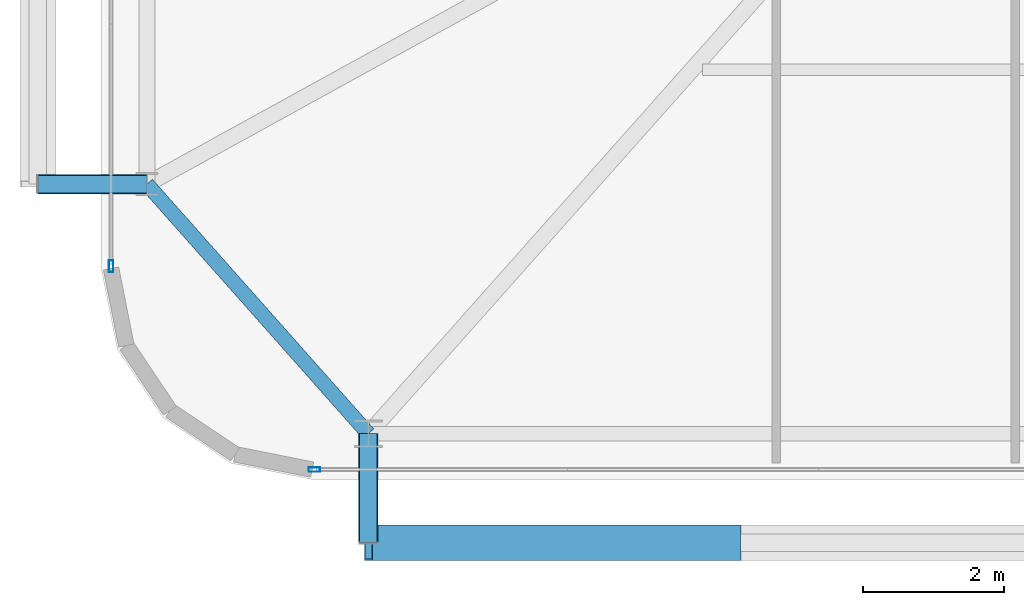
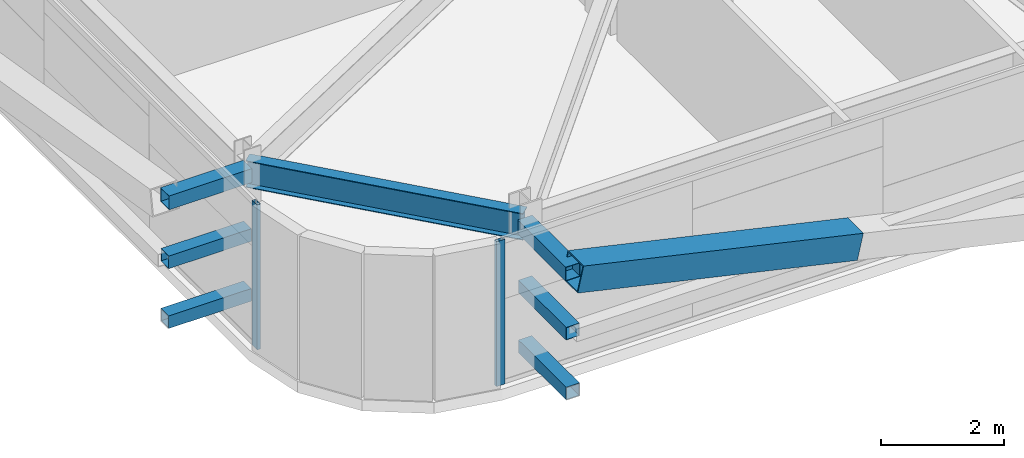
# One storey, part 5 of 45: 9 members, 1 beam, 2 elements without a shape of their own.
"""IFC4 building model written with IfcOpenShell, lengths in metres."""

from ifc_helpers import new_model, si_unit, direction, frame, origin, origin_2d, place, context, subcontext, project, spatial, hollow_rectangle, i_section, extrude, source, transform, mapped, material, layer, layer_set, material_profile, profile_set, type_object, element, aggregate, save


model = new_model("IFC4")

# Units and contexts
model_context = context("Model", 3, precision=1e-05, world=origin(), true_north=direction((0.0, 1.0)))
body_context = subcontext(model_context, "Body", "Model", "MODEL_VIEW")
ifc_project = project(units=[si_unit("LENGTHUNIT", "METRE"), si_unit("AREAUNIT", "SQUARE_METRE"), si_unit("VOLUMEUNIT", "CUBIC_METRE"), si_unit("PLANEANGLEUNIT", "RADIAN"), si_unit("MASSUNIT", "GRAM", prefix="KILO")], contexts=[model_context])

# Site, building, storey
site_placement = place(None, origin())
site = spatial("IfcSite", under=ifc_project, at=site_placement, CompositionType="ELEMENT")
building_placement = place(site_placement, origin())
building = spatial("IfcBuilding", under=site, at=building_placement, Name="Taldren Reach Tower", CompositionType="ELEMENT")
storey_placement = place(building_placement, frame((0.0, 0.0, 57.75)))
storey = spatial("IfcBuildingStorey", under=building, at=storey_placement, Name="L17", CompositionType="ELEMENT", Elevation=57.75)

# Beam
ifc_material_1 = material(Name="Steel Gr 350 (350PLUS)", Category="steel")
ifc_material_profile_1 = material_profile(ifc_material_1, i_section(OverallWidth=0.208984375, OverallDepth=0.528076171875, WebThickness=0.009521484375, FlangeThickness=0.01318359375, at=origin_2d()), Name="530UB82.0")
ifc_profile_set_1 = profile_set([ifc_material_profile_1], Name="Steel Gr 350 (350PLUS)")
beam_type = type_object("IfcBeamType", Name="SP-UB530B", PredefinedType="SPANDREL", material=ifc_profile_set_1)
shared_shape_1 = source(origin(), body_context, "Body", "SweptSolid", [
    extrude(i_section(OverallWidth=0.208984375, OverallDepth=0.528076171875, WebThickness=0.009521484375, FlangeThickness=0.01318359375, at=origin_2d()), origin(), (0.0, 0.0, 1.0), 4.74609375),
])
beam_placement = place(storey_placement, frame((5.64990234375, 5.699951171875, 2.60595703125), z_axis=(0.663721843779, -0.747979487747, 0.0), x_axis=(0.747979487747, 0.663721843779, 0.0)))
element("IfcBeam", 1, at=beam_placement, inside=storey, type_object=beam_type, Name="Perimeter spandrel B1 W1-S1 L17", PredefinedType="SPANDREL", context=body_context, shape_type="MappedRepresentation", body=[
    mapped(shared_shape_1, transform((0.0, 0.0, 0.0), scale=1.0)),
])

# Members
ifc_material_2 = material(Name="Steel Gr 450 (C450L0)", Category="steel")
ifc_material_profile_2 = material_profile(ifc_material_2, hollow_rectangle(XDim=0.27490234375, YDim=0.27490234375, WallThickness=0.00927734375, at=origin_2d()), Name="275x275x9.3SHS")
ifc_profile_set_2 = profile_set([ifc_material_profile_2], Name="Steel Gr 450 (C450L0)")
member_type_1 = type_object("IfcMemberType", Name="MB-TIE273", PredefinedType="STRUT", material=ifc_profile_set_2)
shared_shape_2 = source(origin(), body_context, "Body", "SweptSolid", [
    extrude(hollow_rectangle(XDim=0.27490234375, YDim=0.27490234375, WallThickness=0.00927734375, at=origin_2d()), origin(), (0.0, 0.0, 1.0), 1.5498046875),
])
for number, where, z_axis, x_axis, name in (
    (2, (8.800048828125, 2.14990234375, 2.590087890625), (0.0, -1.0, 0.0), (1.0, 0.0, 0.0), "Exoskeleton diaphragm tie strut B1-S1 L17"),
    (3, (5.64990234375, 5.699951171875, 2.590087890625), (-1.0, 0.0, 0.0), (0.0, -1.0, 0.0), "Exoskeleton diaphragm tie strut B1-W1 L17"),
):
    element("IfcMember", number, at=place(storey_placement, frame(where, z_axis=z_axis, x_axis=x_axis)), inside=storey, type_object=member_type_1, Name=name, PredefinedType="STRUT", context=body_context, shape_type="MappedRepresentation", body=[
        mapped(shared_shape_2, transform((0.0, 0.0, 0.0), scale=1.0)),
    ])
ifc_material_3 = material(Name="Steel Gr 350 (C350L0)", Category="steel")
ifc_material_profile_3 = material_profile(ifc_material_3, hollow_rectangle(XDim=0.25, YDim=0.25, WallThickness=0.010009765625, at=origin_2d()), Name="250x250x10.0SHS")
ifc_profile_set_3 = profile_set([ifc_material_profile_3], Name="Steel Gr 350 (C350L0)")
member_type_2 = type_object("IfcMemberType", Name="MB-POST250", PredefinedType="POST", material=ifc_profile_set_3)
shared_shape_3 = source(origin(), body_context, "Body", "SweptSolid", [
    extrude(hollow_rectangle(XDim=0.25, YDim=0.25, WallThickness=0.010009765625, at=origin_2d()), origin(), (0.0, 0.0, 1.0), 1.5498046875),
])
for number, where, z_axis, x_axis, name in (
    (4, (8.800048828125, 2.14990234375, 0.219970703125), (0.0, -1.0, 0.0), (1.0, 0.0, 0.0), "Exoskeleton base diaphragm tie strut B1-S1 L17"),
    (5, (5.64990234375, 5.699951171875, 0.219970703125), (-1.0, 0.0, 0.0), (0.0, -1.0, 0.0), "Exoskeleton base diaphragm tie strut B1-W1 L17"),
    (6, (8.800048828125, 2.14990234375, 1.405029296875), (0.0, -1.0, 0.0), (1.0, 0.0, 0.0), "Exoskeleton mid-tier diaphragm tie B1-S1 L17"),
    (7, (5.64990234375, 5.699951171875, 1.405029296875), (-1.0, 0.0, 0.0), (0.0, -1.0, 0.0), "Exoskeleton mid-tier diaphragm tie B1-W1 L17"),
):
    element("IfcMember", number, at=place(storey_placement, frame(where, z_axis=z_axis, x_axis=x_axis)), inside=storey, type_object=member_type_2, Name=name, PredefinedType="POST", context=body_context, shape_type="MappedRepresentation", body=[
        mapped(shared_shape_3, transform((0.0, 0.0, 0.0), scale=1.0)),
    ])
ifc_material_profile_4 = material_profile(ifc_material_2, hollow_rectangle(XDim=0.510009765625, YDim=0.510009765625, WallThickness=0.02001953125, at=origin_2d()), Name="510x510x20.0SHS")
ifc_profile_set_4 = profile_set([ifc_material_profile_4], Name="Steel Gr 450 (C450L0)")
member_type_3 = type_object("IfcMemberType", Name="MB-EXO508", PredefinedType="BRACE", material=ifc_profile_set_4)
shared_shape_4 = source(origin(), body_context, "Body", "SweptSolid", [
    extrude(hollow_rectangle(XDim=0.510009765625, YDim=0.510009765625, WallThickness=0.02001953125, at=origin_2d()), origin(), (0.0, 0.0, 1.0), 5.372314453125),
])
member_1_placement = place(storey_placement, frame((14.0400390625, 0.60009765625, 1.405029296875), z_axis=(-0.975367562392, 0.0, 0.220585852297), x_axis=(0.0, -1.0, 0.0)))
element("IfcMember", 8, at=member_1_placement, inside=storey, type_object=member_type_3, Name="Exoskeleton Diagrid Brace B1-S1 L17", PredefinedType="BRACE", context=body_context, shape_type="MappedRepresentation", body=[
    mapped(shared_shape_4, transform((0.0, 0.0, 0.0), scale=1.0)),
])

# Curtain wall, member
ifc_material_4 = material(Name="Aluminium and Low-E Glass Unitised System", Category="aluminium")
ifc_layer = layer(ifc_material_4, 0.159912109375)
ifc_layer_set = layer_set([ifc_layer], Name="Aluminium and Low-E Glass Unitised System")
curtain_wall_type = type_object("IfcCurtainWallType", Name="CW-SYS-2", PredefinedType="NOTDEFINED", material=ifc_layer_set)
curtain_wall_1_placement = place(storey_placement, origin())
curtain_wall_1 = element("IfcCurtainWall", 9, at=curtain_wall_1_placement, inside=storey, type_object=curtain_wall_type, Name="Unitised curtain wall CW-L17-S", PredefinedType="NOTDEFINED")
ifc_material_5 = material(Name="Anodised Aluminium 6063-T6", Category="aluminium")
ifc_material_profile_5 = material_profile(ifc_material_5, hollow_rectangle(XDim=0.06494140625, YDim=0.1650390625, WallThickness=0.00390625, at=origin_2d()), Name="ALU-165x65x4RHS")
ifc_profile_set_5 = profile_set([ifc_material_profile_5], Name="Anodised Aluminium 6063-T6")
member_type_4 = type_object("IfcMemberType", Name="CW-MUL-165", PredefinedType="MULLION", material=ifc_profile_set_5)
shared_shape_5 = source(origin(), body_context, "Body", "SweptSolid", [
    extrude(hollow_rectangle(XDim=0.06494140625, YDim=0.1650390625, WallThickness=0.00390625, at=origin_2d()), origin(), (0.0, 0.0, 1.0), 2.8701171875),
])
member_2_placement = place(storey_placement, frame((8.032470703125, 1.639892578125, 0.0), z_axis=(0.0, 0.0, 1.0), x_axis=(0.0, 1.0, 0.0)))
member_2 = element("IfcMember", 10, at=member_2_placement, type_object=member_type_4, Name="CW-2 mullion 1", PredefinedType="MULLION", context=body_context, shape_type="MappedRepresentation", body=[
    mapped(shared_shape_5, transform((0.0, 0.0, 0.0), scale=1.0)),
])
aggregate(curtain_wall_1, [member_2])

curtain_wall_2_placement = place(storey_placement, origin())
curtain_wall_2 = element("IfcCurtainWall", 11, at=curtain_wall_2_placement, inside=storey, type_object=curtain_wall_type, Name="Unitised curtain wall CW-L17-W", PredefinedType="NOTDEFINED")
member_3_placement = place(storey_placement, frame((5.139892578125, 4.532470703125, 0.0), z_axis=(0.0, 0.0, 1.0), x_axis=(1.0, 0.0, 0.0)))
member_3 = element("IfcMember", 12, at=member_3_placement, type_object=member_type_4, Name="CW-2 mullion 4", PredefinedType="MULLION", context=body_context, shape_type="MappedRepresentation", body=[
    mapped(shared_shape_5, transform((0.0, 0.0, 0.0), scale=1.0)),
])
aggregate(curtain_wall_2, [member_3])

save(model, "model.ifc")
